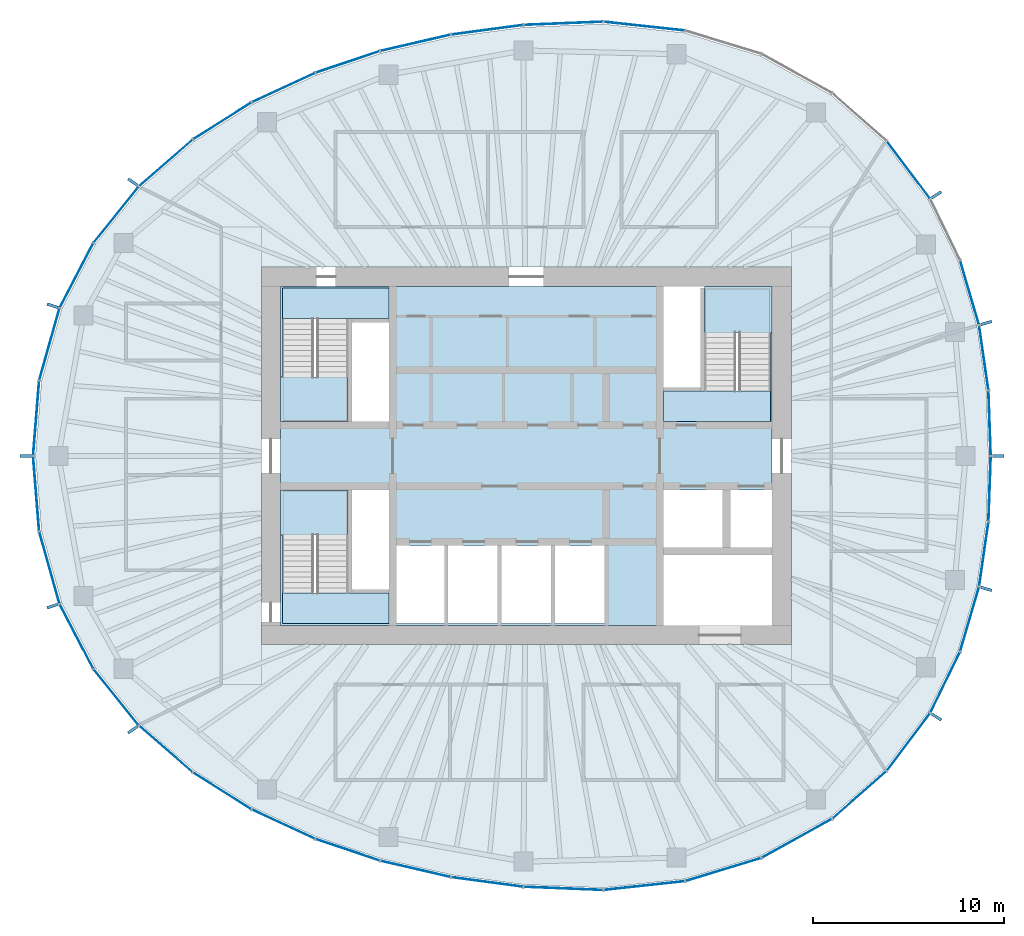
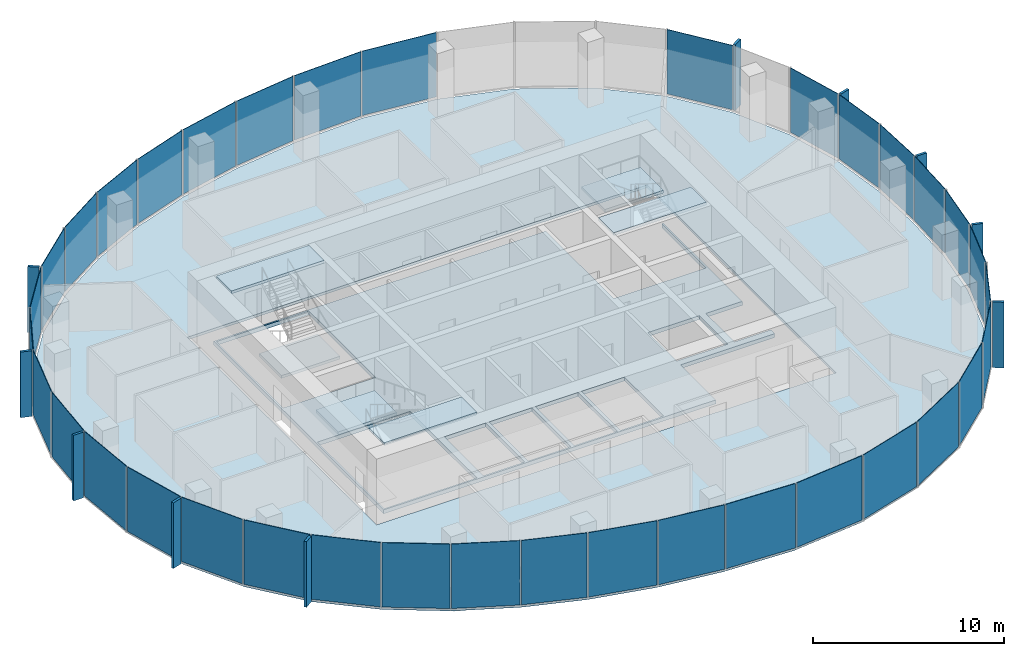
# One storey, part 7 of 11: 46 plates, 8 slabs, 22 elements without a shape of their own.
"""IFC4 building model written with IfcOpenShell, lengths in metres."""

from ifc_helpers import new_model, si_unit, direction, frame, origin, origin_2d, place, context, subcontext, project, spatial, polyline, rectangle, outline, extrude, material, layer, layer_set, type_object, element, aggregate, save


model = new_model("IFC4")

# Units and contexts
model_context = context("Model", 3, precision=1e-05, world=origin(), true_north=direction((0.0, 1.0)))
body_context = subcontext(model_context, "Body", "Model", "MODEL_VIEW")
ifc_project = project(units=[si_unit("LENGTHUNIT", "METRE"), si_unit("AREAUNIT", "SQUARE_METRE"), si_unit("VOLUMEUNIT", "CUBIC_METRE"), si_unit("PLANEANGLEUNIT", "RADIAN"), si_unit("MASSUNIT", "GRAM", prefix="KILO")], contexts=[model_context])

# Site, building, storey
site_placement = place(None, origin())
site = spatial("IfcSite", under=ifc_project, at=site_placement, CompositionType="ELEMENT")
building_placement = place(site_placement, origin())
building = spatial("IfcBuilding", under=site, at=building_placement, Name="Ghaith Harvest Tower", CompositionType="ELEMENT")
storey_placement = place(building_placement, frame((0.0, 0.0, 330.0)))
storey = spatial("IfcBuildingStorey", under=building, at=storey_placement, Name="L74", CompositionType="ELEMENT", Elevation=330.0)

# Curtain wall, plates
ifc_material_1 = material(Name="Black anodised aluminium and fritted glass", Category="aluminium")
curtain_wall_type = type_object("IfcCurtainWallType", Name="CW-T CURTAIN WALL", PredefinedType="NOTDEFINED", material=ifc_material_1)
curtain_wall_1_placement = place(storey_placement, origin())
curtain_wall_1 = element("IfcCurtainWall", 1, at=curtain_wall_1_placement, inside=storey, type_object=curtain_wall_type, Name="Curtain wall CW-T bay 01 L74", PredefinedType="NOTDEFINED")
ifc_material_2 = material(Name="Glass, dark solar-control fritted double glazed unit", Category="glass")
ifc_layer_1 = layer(ifc_material_2, 0.033935546875)
ifc_layer_set_1 = layer_set([ifc_layer_1], Name="CW-T VISION PANEL")
plate_type_1 = type_object("IfcPlateType", Name="CW-T VISION PANEL", PredefinedType="CURTAIN_PANEL", material=ifc_layer_set_1)
plate_1_placement = place(storey_placement, frame((24.308837890625, 1.716796875, 0.079833984375), z_axis=(0.0, 0.0, 1.0), x_axis=(-0.035536161859, 0.999368391135, 0.0)))
plate_1 = element("IfcPlate", 2, at=plate_1_placement, type_object=plate_type_1, Name="CW-T glass unit 1 bay 01 L74", PredefinedType="CURTAIN_PANEL", context=body_context, shape_type="SweptSolid", body=[
    extrude(rectangle(XDim=3.35595703125, YDim=0.033935546875, at=origin_2d()), origin(), (0.0, 0.0, 1.0), 4.1201171875),
])
plate_2_placement = place(storey_placement, frame((24.00048828125, 5.1494140625, 0.079833984375), z_axis=(0.0, 0.0, 1.0), x_axis=(-0.142729771229, 0.989761694755, 0.0)))
plate_2 = element("IfcPlate", 3, at=plate_2_placement, type_object=plate_type_1, Name="CW-T glass unit 2 bay 01 L74", PredefinedType="CURTAIN_PANEL", context=body_context, shape_type="SweptSolid", body=[
    extrude(rectangle(XDim=3.38671875, YDim=0.033935546875, at=origin_2d()), origin(), (0.0, 0.0, 1.0), 4.1201171875),
])
aggregate(curtain_wall_1, [plate_1, plate_2])

# Curtain wall, plate
curtain_wall_2_placement = place(storey_placement, origin())
curtain_wall_2 = element("IfcCurtainWall", 4, at=curtain_wall_2_placement, inside=storey, type_object=curtain_wall_type, Name="Curtain wall CW-T bay 02 L74", PredefinedType="NOTDEFINED")
plate_3_placement = place(storey_placement, frame((23.253662109375, 8.56884765625, 0.079833984375), z_axis=(0.0, 0.0, 1.0), x_axis=(-0.281344622776, 0.959606796159, 0.0)))
plate_3 = element("IfcPlate", 5, at=plate_3_placement, type_object=plate_type_1, Name="CW-T glass unit 1 bay 02 L74", PredefinedType="CURTAIN_PANEL", context=body_context, shape_type="SweptSolid", body=[
    extrude(rectangle(XDim=3.470703125, YDim=0.033935546875, at=origin_2d()), origin(), (0.0, 0.0, 1.0), 4.1201171875),
])
aggregate(curtain_wall_2, [plate_3])

curtain_wall_3_placement = place(storey_placement, origin())
curtain_wall_3 = element("IfcCurtainWall", 6, at=curtain_wall_3_placement, inside=storey, type_object=curtain_wall_type, Name="Curtain wall CW-T bay 03 L74", PredefinedType="NOTDEFINED")
plate_4_placement = place(storey_placement, frame((20.045166015625, 15.006103515625, 0.079833984375), z_axis=(0.0, 0.0, 1.0), x_axis=(-0.601047892764, 0.799213007029, 0.0)))
plate_4 = element("IfcPlate", 7, at=plate_4_placement, type_object=plate_type_1, Name="CW-T glass unit 1 bay 03 L74", PredefinedType="CURTAIN_PANEL", context=body_context, shape_type="SweptSolid", body=[
    extrude(rectangle(XDim=3.7265625, YDim=0.033935546875, at=origin_2d()), origin(), (0.0, 0.0, 1.0), 4.1201171875),
])
aggregate(curtain_wall_3, [plate_4])

# Curtain wall, plates
curtain_wall_4_placement = place(storey_placement, origin())
curtain_wall_4 = element("IfcCurtainWall", 8, at=curtain_wall_4_placement, inside=storey, type_object=curtain_wall_type, Name="Curtain wall CW-T bay 05 L74", PredefinedType="NOTDEFINED")
plate_5_placement = place(storey_placement, frame((6.188720703125, 22.542724609375, 0.079833984375), z_axis=(0.0, 0.0, 1.0), x_axis=(-0.994142883447, 0.108073712304, 0.0)))
plate_5 = element("IfcPlate", 9, at=plate_5_placement, type_object=plate_type_1, Name="CW-T glass unit 1 bay 05 L74", PredefinedType="CURTAIN_PANEL", context=body_context, shape_type="SweptSolid", body=[
    extrude(rectangle(XDim=4.24755859375, YDim=0.033935546875, at=origin_2d()), origin(), (0.0, 0.0, 1.0), 4.1201171875),
])
plate_6_placement = place(storey_placement, frame((1.94140625, 22.691162109375, 0.079833984375), z_axis=(0.0, 0.0, 1.0), x_axis=(-0.999173925852, -0.040638231968, 0.0)))
plate_6 = element("IfcPlate", 10, at=plate_6_placement, type_object=plate_type_1, Name="CW-T glass unit 2 bay 05 L74", PredefinedType="CURTAIN_PANEL", context=body_context, shape_type="SweptSolid", body=[
    extrude(rectangle(XDim=4.115966796875, YDim=0.033935546875, at=origin_2d()), origin(), (0.0, 0.0, 1.0), 4.1201171875),
])
aggregate(curtain_wall_4, [plate_5, plate_6])

curtain_wall_5_placement = place(storey_placement, origin())
curtain_wall_5 = element("IfcCurtainWall", 11, at=curtain_wall_5_placement, inside=storey, type_object=curtain_wall_type, Name="Curtain wall CW-T bay 06 L74", PredefinedType="NOTDEFINED")
plate_7_placement = place(storey_placement, frame((-2.050537109375, 22.352294921875, 0.079833984375), z_axis=(0.0, 0.0, 1.0), x_axis=(-0.991165262661, -0.132632658474, 0.0)))
plate_7 = element("IfcPlate", 12, at=plate_7_placement, type_object=plate_type_1, Name="CW-T glass unit 1 bay 06 L74", PredefinedType="CURTAIN_PANEL", context=body_context, shape_type="SweptSolid", body=[
    extrude(rectangle(XDim=3.74560546875, YDim=0.033935546875, at=origin_2d()), origin(), (0.0, 0.0, 1.0), 4.1201171875),
])
plate_8_placement = place(storey_placement, frame((-5.80859375, 21.66845703125, 0.079833984375), z_axis=(0.0, 0.0, 1.0), x_axis=(-0.974342245415, -0.225071519297, 0.0)))
plate_8 = element("IfcPlate", 13, at=plate_8_placement, type_object=plate_type_1, Name="CW-T glass unit 2 bay 06 L74", PredefinedType="CURTAIN_PANEL", context=body_context, shape_type="SweptSolid", body=[
    extrude(rectangle(XDim=3.742431640625, YDim=0.033935546875, at=origin_2d()), origin(), (0.0, 0.0, 1.0), 4.1201171875),
])
aggregate(curtain_wall_5, [plate_7, plate_8])

curtain_wall_6_placement = place(storey_placement, origin())
curtain_wall_6 = element("IfcCurtainWall", 14, at=curtain_wall_6_placement, inside=storey, type_object=curtain_wall_type, Name="Curtain wall CW-T bay 07 L74", PredefinedType="NOTDEFINED")
plate_9_placement = place(storey_placement, frame((-9.369140625, 20.665771484375, 0.079833984375), z_axis=(0.0, 0.0, 1.0), x_axis=(-0.947586403329, -0.319499621637, 0.0)))
plate_9 = element("IfcPlate", 15, at=plate_9_placement, type_object=plate_type_1, Name="CW-T glass unit 1 bay 07 L74", PredefinedType="CURTAIN_PANEL", context=body_context, shape_type="SweptSolid", body=[
    extrude(rectangle(XDim=3.50439453125, YDim=0.033935546875, at=origin_2d()), origin(), (0.0, 0.0, 1.0), 4.1201171875),
])
plate_10_placement = place(storey_placement, frame((-12.736083984375, 19.3203125, 0.079833984375), z_axis=(0.0, 0.0, 1.0), x_axis=(-0.907450165401, -0.420159728334, 0.0)))
plate_10 = element("IfcPlate", 16, at=plate_10_placement, type_object=plate_type_1, Name="CW-T glass unit 2 bay 07 L74", PredefinedType="CURTAIN_PANEL", context=body_context, shape_type="SweptSolid", body=[
    extrude(rectangle(XDim=3.597900390625, YDim=0.033935546875, at=origin_2d()), origin(), (0.0, 0.0, 1.0), 4.1201171875),
])
aggregate(curtain_wall_6, [plate_9, plate_10])

curtain_wall_7_placement = place(storey_placement, origin())
curtain_wall_7 = element("IfcCurtainWall", 17, at=curtain_wall_7_placement, inside=storey, type_object=curtain_wall_type, Name="Curtain wall CW-T bay 08 L74", PredefinedType="NOTDEFINED")
plate_11_placement = place(storey_placement, frame((-15.94970703125, 17.57421875, 0.079833984375), z_axis=(0.0, 0.0, 1.0), x_axis=(-0.846043473903, -0.533113909279, 0.0)))
plate_11 = element("IfcPlate", 18, at=plate_11_placement, type_object=plate_type_1, Name="CW-T glass unit 1 bay 08 L74", PredefinedType="CURTAIN_PANEL", context=body_context, shape_type="SweptSolid", body=[
    extrude(rectangle(XDim=3.572021484375, YDim=0.033935546875, at=origin_2d()), origin(), (0.0, 0.0, 1.0), 4.1201171875),
])
plate_12_placement = place(storey_placement, frame((-18.909423828125, 15.371337890625, 0.079833984375), z_axis=(0.0, 0.0, 1.0), x_axis=(-0.754828549513, -0.655922145411, 0.0)))
plate_12 = element("IfcPlate", 19, at=plate_12_placement, type_object=plate_type_1, Name="CW-T glass unit 2 bay 08 L74", PredefinedType="CURTAIN_PANEL", context=body_context, shape_type="SweptSolid", body=[
    extrude(rectangle(XDim=3.668701171875, YDim=0.033935546875, at=origin_2d()), origin(), (0.0, 0.0, 1.0), 4.1201171875),
])
aggregate(curtain_wall_7, [plate_11, plate_12])

curtain_wall_8_placement = place(storey_placement, origin())
curtain_wall_8 = element("IfcCurtainWall", 20, at=curtain_wall_8_placement, inside=storey, type_object=curtain_wall_type, Name="Curtain wall CW-T bay 09 L74", PredefinedType="NOTDEFINED")
plate_13_placement = place(storey_placement, frame((-21.515380859375, 12.6591796875, 0.079833984375), z_axis=(0.0, 0.0, 1.0), x_axis=(-0.626229505742, -0.779638766441, 0.0)))
plate_13 = element("IfcPlate", 21, at=plate_13_placement, type_object=plate_type_1, Name="CW-T glass unit 1 bay 09 L74", PredefinedType="CURTAIN_PANEL", context=body_context, shape_type="SweptSolid", body=[
    extrude(rectangle(XDim=3.723388671875, YDim=0.033935546875, at=origin_2d()), origin(), (0.0, 0.0, 1.0), 4.1201171875),
])
plate_14_placement = place(storey_placement, frame((-23.594482421875, 9.4677734375, 0.079833984375), z_axis=(0.0, 0.0, 1.0), x_axis=(-0.461229945578, -0.887280641794, 0.0)))
plate_14 = element("IfcPlate", 22, at=plate_14_placement, type_object=plate_type_1, Name="CW-T glass unit 2 bay 09 L74", PredefinedType="CURTAIN_PANEL", context=body_context, shape_type="SweptSolid", body=[
    extrude(rectangle(XDim=3.771728515625, YDim=0.033935546875, at=origin_2d()), origin(), (0.0, 0.0, 1.0), 4.1201171875),
])
aggregate(curtain_wall_8, [plate_13, plate_14])

curtain_wall_9_placement = place(storey_placement, origin())
curtain_wall_9 = element("IfcCurtainWall", 23, at=curtain_wall_9_placement, inside=storey, type_object=curtain_wall_type, Name="Curtain wall CW-T bay 10 L74", PredefinedType="NOTDEFINED")
plate_15_placement = place(storey_placement, frame((-25.017333984375, 5.85546875, 0.079833984375), z_axis=(0.0, 0.0, 1.0), x_axis=(-0.270355239749, -0.962760637095, 0.0)))
plate_15 = element("IfcPlate", 24, at=plate_15_placement, type_object=plate_type_1, Name="CW-T glass unit 1 bay 10 L74", PredefinedType="CURTAIN_PANEL", context=body_context, shape_type="SweptSolid", body=[
    extrude(rectangle(XDim=3.874267578125, YDim=0.033935546875, at=origin_2d()), origin(), (0.0, 0.0, 1.0), 4.1201171875),
])
plate_16_placement = place(storey_placement, frame((-25.7109375, 1.97607421875, 0.079833984375), z_axis=(0.0, 0.0, 1.0), x_axis=(-0.080257648011, -0.99677415192, 0.0)))
plate_16 = element("IfcPlate", 25, at=plate_16_placement, type_object=plate_type_1, Name="CW-T glass unit 2 bay 10 L74", PredefinedType="CURTAIN_PANEL", context=body_context, shape_type="SweptSolid", body=[
    extrude(rectangle(XDim=3.884765625, YDim=0.033935546875, at=origin_2d()), origin(), (0.0, 0.0, 1.0), 4.1201171875),
])
aggregate(curtain_wall_9, [plate_15, plate_16])

curtain_wall_10_placement = place(storey_placement, origin())
curtain_wall_10 = element("IfcCurtainWall", 26, at=curtain_wall_10_placement, inside=storey, type_object=curtain_wall_type, Name="Curtain wall CW-T bay 11 L74", PredefinedType="NOTDEFINED")
plate_17_placement = place(storey_placement, frame((-25.7109375, -1.97607421875, 0.079833984375), z_axis=(0.0, 0.0, 1.0), x_axis=(0.080257648324, -0.996774151895, 0.0)))
plate_17 = element("IfcPlate", 27, at=plate_17_placement, type_object=plate_type_1, Name="CW-T glass unit 1 bay 11 L74", PredefinedType="CURTAIN_PANEL", context=body_context, shape_type="SweptSolid", body=[
    extrude(rectangle(XDim=3.884765625, YDim=0.033935546875, at=origin_2d()), origin(), (0.0, 0.0, 1.0), 4.1201171875),
])
plate_18_placement = place(storey_placement, frame((-25.017333984375, -5.85546875, 0.079833984375), z_axis=(0.0, 0.0, 1.0), x_axis=(0.27035523953, -0.962760637157, 0.0)))
plate_18 = element("IfcPlate", 28, at=plate_18_placement, type_object=plate_type_1, Name="CW-T glass unit 2 bay 11 L74", PredefinedType="CURTAIN_PANEL", context=body_context, shape_type="SweptSolid", body=[
    extrude(rectangle(XDim=3.874267578125, YDim=0.033935546875, at=origin_2d()), origin(), (0.0, 0.0, 1.0), 4.1201171875),
])
aggregate(curtain_wall_10, [plate_17, plate_18])

curtain_wall_11_placement = place(storey_placement, origin())
curtain_wall_11 = element("IfcCurtainWall", 29, at=curtain_wall_11_placement, inside=storey, type_object=curtain_wall_type, Name="Curtain wall CW-T bay 12 L74", PredefinedType="NOTDEFINED")
plate_19_placement = place(storey_placement, frame((-23.594482421875, -9.4677734375, 0.079833984375), z_axis=(0.0, 0.0, 1.0), x_axis=(0.461229945377, -0.887280641898, 0.0)))
plate_19 = element("IfcPlate", 30, at=plate_19_placement, type_object=plate_type_1, Name="CW-T glass unit 1 bay 12 L74", PredefinedType="CURTAIN_PANEL", context=body_context, shape_type="SweptSolid", body=[
    extrude(rectangle(XDim=3.771728515625, YDim=0.033935546875, at=origin_2d()), origin(), (0.0, 0.0, 1.0), 4.1201171875),
])
plate_20_placement = place(storey_placement, frame((-21.515380859375, -12.6591796875, 0.079833984375), z_axis=(0.0, 0.0, 1.0), x_axis=(0.626229505565, -0.779638766583, 0.0)))
plate_20 = element("IfcPlate", 31, at=plate_20_placement, type_object=plate_type_1, Name="CW-T glass unit 2 bay 12 L74", PredefinedType="CURTAIN_PANEL", context=body_context, shape_type="SweptSolid", body=[
    extrude(rectangle(XDim=3.723388671875, YDim=0.033935546875, at=origin_2d()), origin(), (0.0, 0.0, 1.0), 4.1201171875),
])
aggregate(curtain_wall_11, [plate_19, plate_20])

curtain_wall_12_placement = place(storey_placement, origin())
curtain_wall_12 = element("IfcCurtainWall", 32, at=curtain_wall_12_placement, inside=storey, type_object=curtain_wall_type, Name="Curtain wall CW-T bay 13 L74", PredefinedType="NOTDEFINED")
plate_21_placement = place(storey_placement, frame((-18.909423828125, -15.371337890625, 0.079833984375), z_axis=(0.0, 0.0, 1.0), x_axis=(0.754828549376, -0.655922145569, 0.0)))
plate_21 = element("IfcPlate", 33, at=plate_21_placement, type_object=plate_type_1, Name="CW-T glass unit 1 bay 13 L74", PredefinedType="CURTAIN_PANEL", context=body_context, shape_type="SweptSolid", body=[
    extrude(rectangle(XDim=3.668701171875, YDim=0.033935546875, at=origin_2d()), origin(), (0.0, 0.0, 1.0), 4.1201171875),
])
plate_22_placement = place(storey_placement, frame((-15.94970703125, -17.57421875, 0.079833984375), z_axis=(0.0, 0.0, 1.0), x_axis=(0.846043474052, -0.533113909042, 0.0)))
plate_22 = element("IfcPlate", 34, at=plate_22_placement, type_object=plate_type_1, Name="CW-T glass unit 2 bay 13 L74", PredefinedType="CURTAIN_PANEL", context=body_context, shape_type="SweptSolid", body=[
    extrude(rectangle(XDim=3.572021484375, YDim=0.033935546875, at=origin_2d()), origin(), (0.0, 0.0, 1.0), 4.1201171875),
])
aggregate(curtain_wall_12, [plate_21, plate_22])

curtain_wall_13_placement = place(storey_placement, origin())
curtain_wall_13 = element("IfcCurtainWall", 35, at=curtain_wall_13_placement, inside=storey, type_object=curtain_wall_type, Name="Curtain wall CW-T bay 14 L74", PredefinedType="NOTDEFINED")
plate_23_placement = place(storey_placement, frame((-12.736083984375, -19.3203125, 0.079833984375), z_axis=(0.0, 0.0, 1.0), x_axis=(0.907450165812, -0.420159727447, 0.0)))
plate_23 = element("IfcPlate", 36, at=plate_23_placement, type_object=plate_type_1, Name="CW-T glass unit 1 bay 14 L74", PredefinedType="CURTAIN_PANEL", context=body_context, shape_type="SweptSolid", body=[
    extrude(rectangle(XDim=3.597900390625, YDim=0.033935546875, at=origin_2d()), origin(), (0.0, 0.0, 1.0), 4.1201171875),
])
plate_24_placement = place(storey_placement, frame((-9.369140625, -20.665771484375, 0.079833984375), z_axis=(0.0, 0.0, 1.0), x_axis=(0.947586403597, -0.319499620843, 0.0)))
plate_24 = element("IfcPlate", 37, at=plate_24_placement, type_object=plate_type_1, Name="CW-T glass unit 2 bay 14 L74", PredefinedType="CURTAIN_PANEL", context=body_context, shape_type="SweptSolid", body=[
    extrude(rectangle(XDim=3.50439453125, YDim=0.033935546875, at=origin_2d()), origin(), (0.0, 0.0, 1.0), 4.1201171875),
])
aggregate(curtain_wall_13, [plate_23, plate_24])

curtain_wall_14_placement = place(storey_placement, origin())
curtain_wall_14 = element("IfcCurtainWall", 38, at=curtain_wall_14_placement, inside=storey, type_object=curtain_wall_type, Name="Curtain wall CW-T bay 15 L74", PredefinedType="NOTDEFINED")
plate_25_placement = place(storey_placement, frame((-5.80859375, -21.66845703125, 0.079833984375), z_axis=(0.0, 0.0, 1.0), x_axis=(0.974342245521, -0.225071518838, 0.0)))
plate_25 = element("IfcPlate", 39, at=plate_25_placement, type_object=plate_type_1, Name="CW-T glass unit 1 bay 15 L74", PredefinedType="CURTAIN_PANEL", context=body_context, shape_type="SweptSolid", body=[
    extrude(rectangle(XDim=3.742431640625, YDim=0.033935546875, at=origin_2d()), origin(), (0.0, 0.0, 1.0), 4.1201171875),
])
plate_26_placement = place(storey_placement, frame((-2.050537109375, -22.352294921875, 0.079833984375), z_axis=(0.0, 0.0, 1.0), x_axis=(0.991165262684, -0.132632658301, 0.0)))
plate_26 = element("IfcPlate", 40, at=plate_26_placement, type_object=plate_type_1, Name="CW-T glass unit 2 bay 15 L74", PredefinedType="CURTAIN_PANEL", context=body_context, shape_type="SweptSolid", body=[
    extrude(rectangle(XDim=3.74560546875, YDim=0.033935546875, at=origin_2d()), origin(), (0.0, 0.0, 1.0), 4.1201171875),
])
aggregate(curtain_wall_14, [plate_25, plate_26])

curtain_wall_15_placement = place(storey_placement, origin())
curtain_wall_15 = element("IfcCurtainWall", 41, at=curtain_wall_15_placement, inside=storey, type_object=curtain_wall_type, Name="Curtain wall CW-T bay 16 L74", PredefinedType="NOTDEFINED")
plate_27_placement = place(storey_placement, frame((1.94140625, -22.691162109375, 0.079833984375), z_axis=(0.0, 0.0, 1.0), x_axis=(0.999173925863, -0.040638231706, 0.0)))
plate_27 = element("IfcPlate", 42, at=plate_27_placement, type_object=plate_type_1, Name="CW-T glass unit 1 bay 16 L74", PredefinedType="CURTAIN_PANEL", context=body_context, shape_type="SweptSolid", body=[
    extrude(rectangle(XDim=4.115966796875, YDim=0.033935546875, at=origin_2d()), origin(), (0.0, 0.0, 1.0), 4.1201171875),
])
plate_28_placement = place(storey_placement, frame((6.188720703125, -22.542724609375, 0.079833984375), z_axis=(0.0, 0.0, 1.0), x_axis=(0.994142883417, 0.108073712581, 0.0)))
plate_28 = element("IfcPlate", 43, at=plate_28_placement, type_object=plate_type_1, Name="CW-T glass unit 2 bay 16 L74", PredefinedType="CURTAIN_PANEL", context=body_context, shape_type="SweptSolid", body=[
    extrude(rectangle(XDim=4.24755859375, YDim=0.033935546875, at=origin_2d()), origin(), (0.0, 0.0, 1.0), 4.1201171875),
])
aggregate(curtain_wall_15, [plate_27, plate_28])

curtain_wall_16_placement = place(storey_placement, origin())
curtain_wall_16 = element("IfcCurtainWall", 44, at=curtain_wall_16_placement, inside=storey, type_object=curtain_wall_type, Name="Curtain wall CW-T bay 17 L74", PredefinedType="NOTDEFINED")
plate_29_placement = place(storey_placement, frame((10.337158203125, -21.700439453125, 0.079833984375), z_axis=(0.0, 0.0, 1.0), x_axis=(0.956587736012, 0.291444511548, 0.0)))
plate_29 = element("IfcPlate", 45, at=plate_29_placement, type_object=plate_type_1, Name="CW-T glass unit 1 bay 17 L74", PredefinedType="CURTAIN_PANEL", context=body_context, shape_type="SweptSolid", body=[
    extrude(rectangle(XDim=4.095703125, YDim=0.033935546875, at=origin_2d()), origin(), (0.0, 0.0, 1.0), 4.1201171875),
])
plate_30_placement = place(storey_placement, frame((14.19189453125, -20.06201171875, 0.079833984375), z_axis=(0.0, 0.0, 1.0), x_axis=(0.874564022715, 0.484910064004, 0.0)))
plate_30 = element("IfcPlate", 46, at=plate_30_placement, type_object=plate_type_1, Name="CW-T glass unit 2 bay 17 L74", PredefinedType="CURTAIN_PANEL", context=body_context, shape_type="SweptSolid", body=[
    extrude(rectangle(XDim=4.167724609375, YDim=0.033935546875, at=origin_2d()), origin(), (0.0, 0.0, 1.0), 4.1201171875),
])
aggregate(curtain_wall_16, [plate_29, plate_30])

curtain_wall_17_placement = place(storey_placement, origin())
curtain_wall_17 = element("IfcCurtainWall", 47, at=curtain_wall_17_placement, inside=storey, type_object=curtain_wall_type, Name="Curtain wall CW-T bay 18 L74", PredefinedType="NOTDEFINED")
plate_31_placement = place(storey_placement, frame((17.47509765625, -17.779541015625, 0.079833984375), z_axis=(0.0, 0.0, 1.0), x_axis=(0.751334532577, 0.659921525757, 0.0)))
plate_31 = element("IfcPlate", 48, at=plate_31_placement, type_object=plate_type_1, Name="CW-T glass unit 1 bay 18 L74", PredefinedType="CURTAIN_PANEL", context=body_context, shape_type="SweptSolid", body=[
    extrude(rectangle(XDim=3.7158203125, YDim=0.033935546875, at=origin_2d()), origin(), (0.0, 0.0, 1.0), 4.1201171875),
])
plate_32_placement = place(storey_placement, frame((20.045166015625, -15.006103515625, 0.079833984375), z_axis=(0.0, 0.0, 1.0), x_axis=(0.601047892945, 0.799213006892, 0.0)))
plate_32 = element("IfcPlate", 49, at=plate_32_placement, type_object=plate_type_1, Name="CW-T glass unit 2 bay 18 L74", PredefinedType="CURTAIN_PANEL", context=body_context, shape_type="SweptSolid", body=[
    extrude(rectangle(XDim=3.7265625, YDim=0.033935546875, at=origin_2d()), origin(), (0.0, 0.0, 1.0), 4.1201171875),
])
aggregate(curtain_wall_17, [plate_31, plate_32])

curtain_wall_18_placement = place(storey_placement, origin())
curtain_wall_18 = element("IfcCurtainWall", 50, at=curtain_wall_18_placement, inside=storey, type_object=curtain_wall_type, Name="Curtain wall CW-T bay 19 L74", PredefinedType="NOTDEFINED")
plate_33_placement = place(storey_placement, frame((21.9716796875, -11.878662109375, 0.079833984375), z_axis=(0.0, 0.0, 1.0), x_axis=(0.437968365352, 0.898990384237, 0.0)))
plate_33 = element("IfcPlate", 51, at=plate_33_placement, type_object=plate_type_1, Name="CW-T glass unit 1 bay 19 L74", PredefinedType="CURTAIN_PANEL", context=body_context, shape_type="SweptSolid", body=[
    extrude(rectangle(XDim=3.49365234375, YDim=0.033935546875, at=origin_2d()), origin(), (0.0, 0.0, 1.0), 4.1201171875),
])
plate_34_placement = place(storey_placement, frame((23.253662109375, -8.56884765625, 0.079833984375), z_axis=(0.0, 0.0, 1.0), x_axis=(0.281344622977, 0.9596067961, 0.0)))
plate_34 = element("IfcPlate", 52, at=plate_34_placement, type_object=plate_type_1, Name="CW-T glass unit 2 bay 19 L74", PredefinedType="CURTAIN_PANEL", context=body_context, shape_type="SweptSolid", body=[
    extrude(rectangle(XDim=3.470703125, YDim=0.033935546875, at=origin_2d()), origin(), (0.0, 0.0, 1.0), 4.1201171875),
])
aggregate(curtain_wall_18, [plate_33, plate_34])

curtain_wall_19_placement = place(storey_placement, origin())
curtain_wall_19 = element("IfcCurtainWall", 53, at=curtain_wall_19_placement, inside=storey, type_object=curtain_wall_type, Name="Curtain wall CW-T bay 20 L74", PredefinedType="NOTDEFINED")
plate_35_placement = place(storey_placement, frame((24.00048828125, -5.1494140625, 0.079833984375), z_axis=(0.0, 0.0, 1.0), x_axis=(0.142729771402, 0.98976169473, 0.0)))
plate_35 = element("IfcPlate", 54, at=plate_35_placement, type_object=plate_type_1, Name="CW-T glass unit 1 bay 20 L74", PredefinedType="CURTAIN_PANEL", context=body_context, shape_type="SweptSolid", body=[
    extrude(rectangle(XDim=3.38671875, YDim=0.033935546875, at=origin_2d()), origin(), (0.0, 0.0, 1.0), 4.1201171875),
])
plate_36_placement = place(storey_placement, frame((24.308837890625, -1.716796875, 0.079833984375), z_axis=(0.0, 0.0, 1.0), x_axis=(0.035536161929, 0.999368391133, 0.0)))
plate_36 = element("IfcPlate", 55, at=plate_36_placement, type_object=plate_type_1, Name="CW-T glass unit 2 bay 20 L74", PredefinedType="CURTAIN_PANEL", context=body_context, shape_type="SweptSolid", body=[
    extrude(rectangle(XDim=3.35595703125, YDim=0.033935546875, at=origin_2d()), origin(), (0.0, 0.0, 1.0), 4.1201171875),
])
aggregate(curtain_wall_19, [plate_35, plate_36])

# Slabs
ifc_material_3 = material(Name="Concrete C40/50", Category="concrete")
ifc_layer_2 = layer(ifc_material_3, 0.169921875)
ifc_layer_set_2 = layer_set([ifc_layer_2], Name="FLOOR SLAB 170")
slab_type_1 = type_object("IfcSlabType", Name="FLOOR SLAB 170", PredefinedType="FLOOR", material=ifc_layer_set_2)
slab_1_placement = place(storey_placement, frame((0.0, 0.0, -0.169921875)))
element("IfcSlab", 56, at=slab_1_placement, inside=storey, type_object=slab_type_1, Name="Floor slab L74", PredefinedType="FLOOR", context=body_context, shape_type="SweptSolid", body=[
    extrude(outline(polyline([(24.25, 0.0), (24.129150390625, 3.4169921875), (23.6376953125, 6.831787109375), (22.644775390625, 10.222900390625), (21.087890625, 13.42041015625), (18.810791015625, 16.4482421875), (15.971923828125, 18.940185546875), (12.273681640625, 20.98828125), (8.2978515625, 22.1962890625), (4.016845703125, 22.658447265625), (-0.15380859375, 22.486083984375), (-3.92529296875, 21.98046875), (-7.6298828125, 21.12548828125), (-11.009521484375, 19.98779296875), (-14.331298828125, 18.452880859375), (-17.40771484375, 16.518310546875), (-20.225830078125, 14.0732421875), (-22.5986328125, 11.12353515625), (-24.368408203125, 7.722900390625), (-25.43310546875, 3.93359375), (-25.75, 0.0), (-25.43310546875, -3.93359375), (-24.368408203125, -7.722900390625), (-22.5986328125, -11.12353515625), (-20.225830078125, -14.0732421875), (-17.40771484375, -16.518310546875), (-14.331298828125, -18.452880859375), (-11.009521484375, -19.98779296875), (-7.6298828125, -21.12548828125), (-3.92529296875, -21.98046875), (-0.15380859375, -22.486083984375), (4.016845703125, -22.658447265625), (8.2978515625, -22.1962890625), (12.273681640625, -20.98828125), (15.971923828125, -18.940185546875), (18.810791015625, -16.4482421875), (21.087890625, -13.42041015625), (22.644775390625, -10.222900390625), (23.6376953125, -6.831787109375), (24.129150390625, -3.4169921875), (24.25, 0.0)]), holes=[polyline([(-13.89990234375, -9.89990234375), (13.89990234375, -9.89990234375), (13.89990234375, 9.89990234375), (-13.89990234375, 9.89990234375), (-13.89990234375, -9.89990234375)])]), origin(), (0.0, 0.0, 1.0), 0.169921875),
])
ifc_material_4 = material(Name="Concrete C40/50", Category="concrete")
ifc_layer_3 = layer(ifc_material_4, 0.25)
ifc_layer_set_3 = layer_set([ifc_layer_3], Name="FLOOR SLAB 250")
slab_type_2 = type_object("IfcSlabType", Name="FLOOR SLAB 250", PredefinedType="FLOOR", material=ifc_layer_set_3)
slab_2_placement = place(storey_placement, frame((0.0, 0.0, -0.25)))
element("IfcSlab", 57, at=slab_2_placement, inside=storey, type_object=slab_type_2, Name="Core slab L74", PredefinedType="FLOOR", context=body_context, shape_type="SweptSolid", body=[
    extrude(outline(polyline([(-12.89990234375, 8.89990234375), (7.199951171875, 8.89990234375), (7.199951171875, 1.800048828125), (12.800048828125, 1.800048828125), (12.800048828125, 6.4599609375), (12.89990234375, 6.4599609375), (12.89990234375, -1.800048828125), (10.699951171875, -1.800048828125), (10.699951171875, -4.800048828125), (12.89990234375, -4.800048828125), (12.89990234375, -5.199951171875), (7.199951171875, -5.199951171875), (7.199951171875, -8.89990234375), (-12.89990234375, -8.89990234375), (-12.89990234375, 8.89990234375)]), holes=[polyline([(-4.300048828125, -4.699951171875), (-6.800048828125, -4.699951171875), (-6.800048828125, -8.800048828125), (-4.300048828125, -8.800048828125), (-4.300048828125, -4.699951171875)]), polyline([(-1.5, -4.699951171875), (-4.10009765625, -4.699951171875), (-4.10009765625, -8.800048828125), (-1.5, -8.800048828125), (-1.5, -4.699951171875)]), polyline([(1.300048828125, -8.800048828125), (1.300048828125, -4.699951171875), (-1.300048828125, -4.699951171875), (-1.300048828125, -8.800048828125), (1.300048828125, -8.800048828125)]), polyline([(4.10009765625, -8.800048828125), (4.10009765625, -4.699951171875), (1.5, -4.699951171875), (1.5, -8.800048828125), (4.10009765625, -8.800048828125)]), polyline([(-7.199951171875, -1.800048828125), (-12.800048828125, -1.800048828125), (-12.800048828125, -8.800048828125), (-7.199951171875, -8.800048828125), (-7.199951171875, -1.800048828125)]), polyline([(10.300048828125, -1.800048828125), (7.199951171875, -1.800048828125), (7.199951171875, -4.800048828125), (10.300048828125, -4.800048828125), (10.300048828125, -1.800048828125)]), polyline([(-12.800048828125, 1.800048828125), (-7.199951171875, 1.800048828125), (-7.199951171875, 8.800048828125), (-12.800048828125, 8.800048828125), (-12.800048828125, 1.800048828125)])]), origin(), (0.0, 0.0, 1.0), 0.25),
])

# Stair, slabs
ifc_material_5 = material(Name="Concrete C40/50, precast", Category="concrete")
stair_type = type_object("IfcStairType", Name="CORE STAIR 24R", PredefinedType="HALF_TURN_STAIR", material=ifc_material_5)
stair_1_placement = place(storey_placement, origin())
stair_1 = element("IfcStair", 58, at=stair_1_placement, inside=storey, type_object=stair_type, Name="Stair ST1 L74", PredefinedType="HALF_TURN_STAIR")
ifc_material_6 = material(Name="Concrete C40/50, precast", Category="concrete")
ifc_layer_4 = layer(ifc_material_6, 0.179931640625)
ifc_layer_set_4 = layer_set([ifc_layer_4], Name="STAIR LANDING 180")
slab_type_3 = type_object("IfcSlabType", Name="STAIR LANDING 180", PredefinedType="LANDING", material=ifc_layer_set_4)
slab_3_placement = place(storey_placement, frame((0.0, 0.0, 1.919921875)))
slab_3 = element("IfcSlab", 59, at=slab_3_placement, type_object=slab_type_3, Name="ST1 landing 1", PredefinedType="LANDING", context=body_context, shape_type="SweptSolid", body=[
    extrude(outline(polyline([(-12.89990234375, 4.139892578125), (-12.89990234375, 1.800048828125), (-9.35009765625, 1.800048828125), (-9.35009765625, 4.139892578125), (-12.89990234375, 4.139892578125)])), origin(), (0.0, 0.0, 1.0), 0.18017578125),
])
slab_4_placement = place(storey_placement, frame((0.0, 0.0, 4.02001953125)))
slab_4 = element("IfcSlab", 60, at=slab_4_placement, type_object=slab_type_3, Name="ST1 landing 2", PredefinedType="LANDING", context=body_context, shape_type="SweptSolid", body=[
    extrude(outline(polyline([(-12.800048828125, 8.800048828125), (-12.800048828125, 7.199951171875), (-7.199951171875, 7.199951171875), (-7.199951171875, 8.800048828125), (-12.800048828125, 8.800048828125)])), origin(), (0.0, 0.0, 1.0), 0.179931640625),
])
aggregate(stair_1, [slab_3, slab_4])

stair_2_placement = place(storey_placement, origin())
stair_2 = element("IfcStair", 61, at=stair_2_placement, inside=storey, type_object=stair_type, Name="Stair ST3 L74", PredefinedType="HALF_TURN_STAIR")
slab_5_placement = place(storey_placement, frame((0.0, 0.0, 1.919921875)))
slab_5 = element("IfcSlab", 62, at=slab_5_placement, type_object=slab_type_3, Name="ST3 landing 1", PredefinedType="LANDING", context=body_context, shape_type="SweptSolid", body=[
    extrude(outline(polyline([(-12.89990234375, -4.139892578125), (-12.89990234375, -1.800048828125), (-9.35009765625, -1.800048828125), (-9.35009765625, -4.139892578125), (-12.89990234375, -4.139892578125)])), origin(), (0.0, 0.0, 1.0), 0.18017578125),
])
slab_6_placement = place(storey_placement, frame((0.0, 0.0, 4.02001953125)))
slab_6 = element("IfcSlab", 63, at=slab_6_placement, type_object=slab_type_3, Name="ST3 landing 2", PredefinedType="LANDING", context=body_context, shape_type="SweptSolid", body=[
    extrude(outline(polyline([(-12.800048828125, -8.800048828125), (-12.800048828125, -7.199951171875), (-7.199951171875, -7.199951171875), (-7.199951171875, -8.800048828125), (-12.800048828125, -8.800048828125)])), origin(), (0.0, 0.0, 1.0), 0.179931640625),
])
aggregate(stair_2, [slab_5, slab_6])

stair_3_placement = place(storey_placement, origin())
stair_3 = element("IfcStair", 64, at=stair_3_placement, inside=storey, type_object=stair_type, Name="Stair ST2 L74", PredefinedType="HALF_TURN_STAIR")
slab_7_placement = place(storey_placement, frame((0.0, 0.0, 1.919921875)))
slab_7 = element("IfcSlab", 65, at=slab_7_placement, type_object=slab_type_3, Name="ST2 landing 1", PredefinedType="LANDING", context=body_context, shape_type="SweptSolid", body=[
    extrude(outline(polyline([(12.89990234375, 6.4599609375), (12.89990234375, 8.89990234375), (9.35009765625, 8.89990234375), (9.35009765625, 6.4599609375), (12.89990234375, 6.4599609375)])), origin(), (0.0, 0.0, 1.0), 0.18017578125),
])
slab_8_placement = place(storey_placement, frame((0.0, 0.0, 4.02001953125)))
slab_8 = element("IfcSlab", 66, at=slab_8_placement, type_object=slab_type_3, Name="ST2 landing 2", PredefinedType="LANDING", context=body_context, shape_type="SweptSolid", body=[
    extrude(outline(polyline([(12.800048828125, 1.800048828125), (12.800048828125, 3.39990234375), (7.199951171875, 3.39990234375), (7.199951171875, 1.800048828125), (12.800048828125, 1.800048828125)])), origin(), (0.0, 0.0, 1.0), 0.179931640625),
])
aggregate(stair_3, [slab_7, slab_8])

# Plates
ifc_material_7 = material(Name="Glassfibre-reinforced concrete", Category="concrete")
ifc_layer_5 = layer(ifc_material_7, 0.14990234375)
ifc_layer_set_5 = layer_set([ifc_layer_5], Name="SUN-BREAKER FIN 600x150")
plate_type_2 = type_object("IfcPlateType", Name="SUN-BREAKER FIN 600x150", PredefinedType="USERDEFINED", material=ifc_layer_set_5)
for number, where, z_axis, x_axis, name in (
    (67, (24.760009765625, 0.0, 0.0), (0.0, 0.0, 1.0), (1.0, 0.0, 0.0), "Sun-breaker fin CW-T 1 bay 01 L74"),
    (68, (24.127685546875, 6.973388671875, 0.0), (0.0, 0.0, 1.0), (0.960680349985, 0.277656739792, 0.0), "Sun-breaker fin CW-T 1 bay 02 L74"),
    (69, (21.51806640625, 13.6943359375, 0.0), (0.0, 0.0, 1.0), (0.843643971464, 0.536903016766, 0.0), "Sun-breaker fin CW-T 1 bay 03 L74"),
    (70, (-20.64453125, 14.364501953125, 0.0), (0.0, 0.0, 1.0), (-0.820845486523, 0.571150319316, 0.0), "Sun-breaker fin CW-T 1 bay 09 L74"),
    (71, (-24.8544921875, 7.876708984375, 0.0), (0.0, 0.0, 1.0), (-0.953273219358, 0.302109531884, 0.0), "Sun-breaker fin CW-T 1 bay 10 L74"),
    (72, (-26.260009765625, 0.0, 0.0), (0.0, 0.0, 1.0), (-1.0, -4.19e-10, 0.0), "Sun-breaker fin CW-T 1 bay 11 L74"),
    (73, (-24.8544921875, -7.876708984375, 0.0), (0.0, 0.0, 1.0), (-0.953273219416, -0.302109531701, 0.0), "Sun-breaker fin CW-T 1 bay 12 L74"),
    (74, (-20.64453125, -14.364501953125, 0.0), (0.0, 0.0, 1.0), (-0.820845486622, -0.571150319173, 0.0), "Sun-breaker fin CW-T 1 bay 13 L74"),
    (75, (21.51806640625, -13.6943359375, 0.0), (0.0, 0.0, 1.0), (0.84364397137, -0.536903016913, 0.0), "Sun-breaker fin CW-T 1 bay 19 L74"),
    (76, (24.127685546875, -6.973388671875, 0.0), (0.0, 0.0, 1.0), (0.960680349932, -0.277656739976, 0.0), "Sun-breaker fin CW-T 1 bay 20 L74"),
):
    element("IfcPlate", number, at=place(storey_placement, frame(where, z_axis=z_axis, x_axis=x_axis)), inside=storey, type_object=plate_type_2, Name=name, ObjectType="SUN-BREAKER FIN", PredefinedType="USERDEFINED", context=body_context, shape_type="SweptSolid", body=[
        extrude(rectangle(XDim=0.60009765625, YDim=0.14990234375, at=origin_2d()), origin(), (0.0, 0.0, 1.0), 4.199951171875),
    ])

save(model, "model.ifc")
